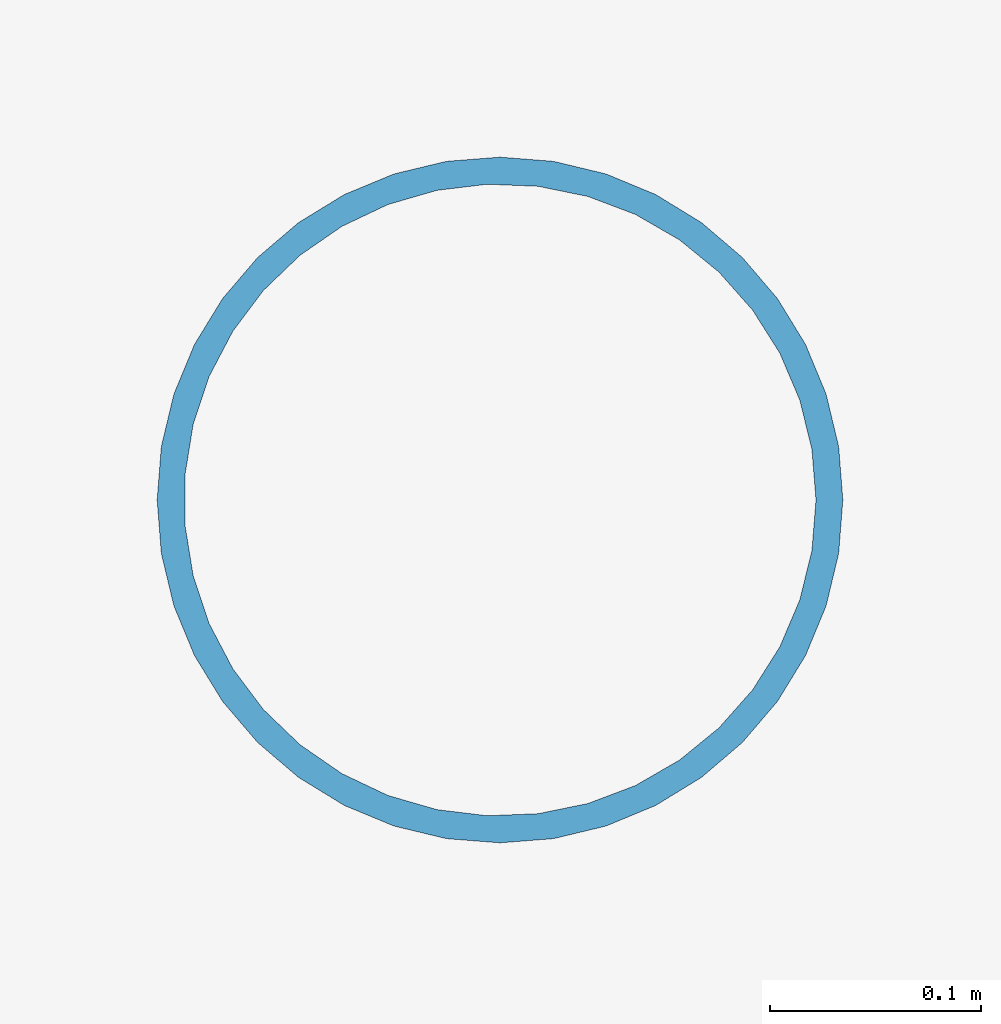
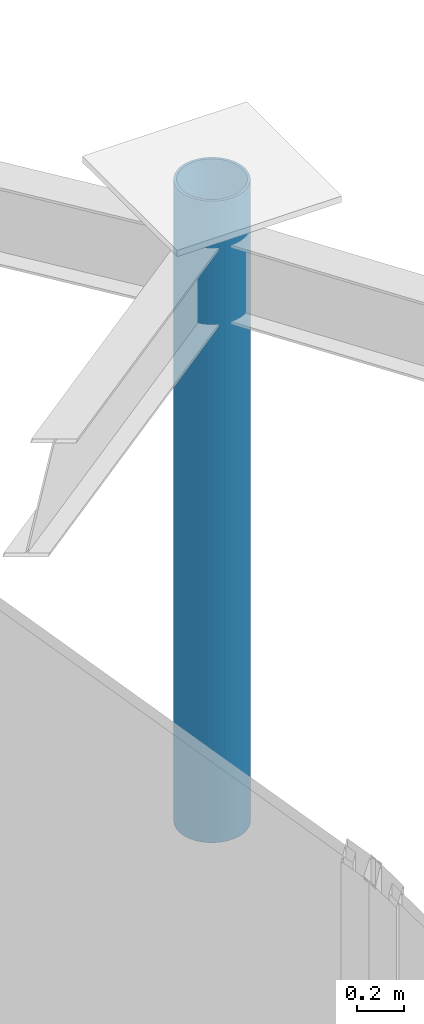
# One storey, part 24 of 29: 1 member.
"""IFC4 building model written with IfcOpenShell, lengths in metres."""

from ifc_helpers import new_model, si_unit, direction, frame, origin, origin_2d, place, context, subcontext, project, spatial, hollow_circle, extrude, material, material_profile, profile_set, type_object, element, save


model = new_model("IFC4")

# Units and contexts
model_context = context("Model", 3, precision=1e-05, world=origin(), true_north=direction((0.0, 1.0)))
body_context = subcontext(model_context, "Body", "Model", "MODEL_VIEW")
ifc_project = project(units=[si_unit("LENGTHUNIT", "METRE"), si_unit("AREAUNIT", "SQUARE_METRE"), si_unit("VOLUMEUNIT", "CUBIC_METRE"), si_unit("PLANEANGLEUNIT", "RADIAN"), si_unit("MASSUNIT", "GRAM", prefix="KILO")], contexts=[model_context])

# Site, building, storey
site_placement = place(None, origin())
site = spatial("IfcSite", under=ifc_project, at=site_placement, CompositionType="ELEMENT")
building_placement = place(site_placement, origin())
building = spatial("IfcBuilding", under=site, at=building_placement, Name="Orvanel Arch Residences", CompositionType="ELEMENT")
storey_placement = place(building_placement, frame((0.0, 0.0, 246.949951171875)))
storey = spatial("IfcBuildingStorey", under=building, at=storey_placement, Name="L70", CompositionType="ELEMENT", Elevation=246.949951171875)

# Member
ifc_material = material(Name="Structural steel AS/NZS 1163 C350L0 (Grade 350)", Category="steel")
ifc_material_profile = material_profile(ifc_material, hollow_circle(Radius=0.162109375, WallThickness=0.0126953125, at=origin_2d()), Name="CHS324x12.7")
ifc_profile_set = profile_set([ifc_material_profile], Name="Structural steel AS/NZS 1163 C350L0 (Grade 350)")
member_type = type_object("IfcMemberType", Name="ST-324CHS-EXT", PredefinedType="STRUT", material=ifc_profile_set)
member_placement = place(storey_placement, frame((44.992919921875, 35.176025390625, 0.0), z_axis=(0.0, 0.0, 1.0), x_axis=(1.0, 0.0, 0.0)))
element("IfcMember", 1, at=member_placement, inside=storey, type_object=member_type, Name="L70 Outer Perimeter Frame Post 11", PredefinedType="STRUT", context=body_context, shape_type="SweptSolid", body=[
    extrude(hollow_circle(Radius=0.162109375, WallThickness=0.0126953125, at=origin_2d()), origin(), (0.0, 0.0, 1.0), 3.300048828125),
])

save(model, "model.ifc")
